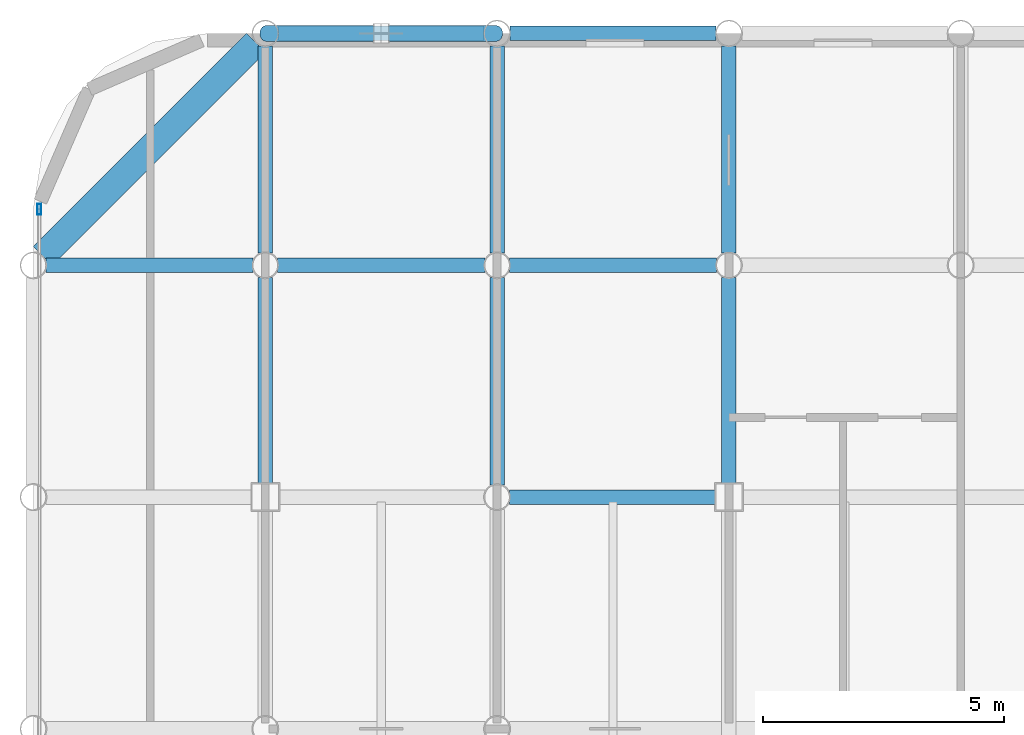
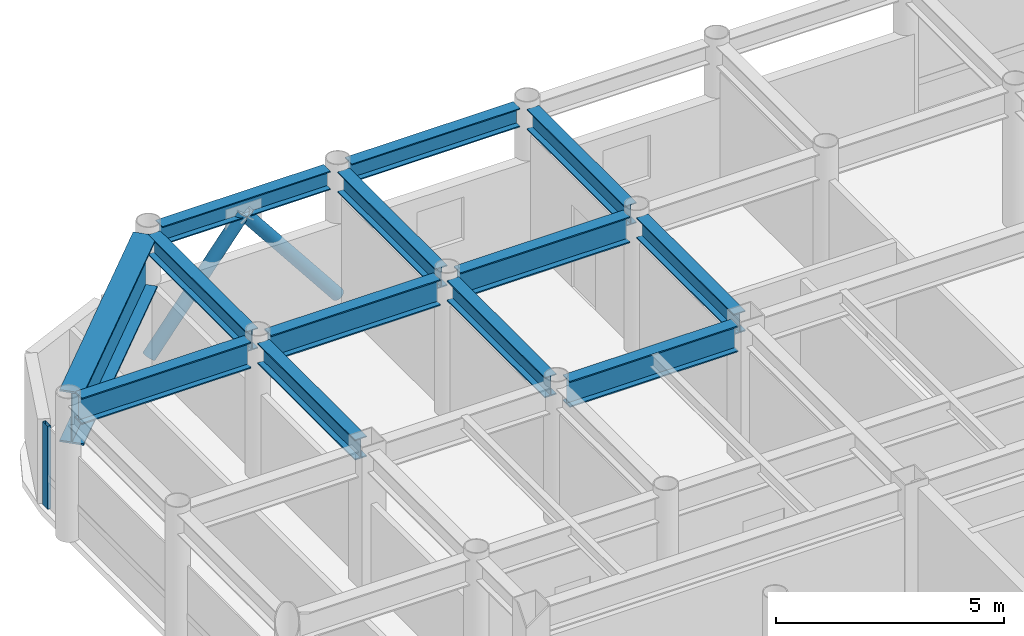
# One storey, part 12 of 22: 13 beams, 3 members, 1 element without a shape of its own.
"""IFC4 building model written with IfcOpenShell, lengths in metres."""

from ifc_helpers import new_model, si_unit, direction, frame, origin, origin_2d, place, context, subcontext, project, spatial, hollow_rectangle, hollow_circle, i_section, extrude, material, layer, layer_set, material_profile, profile_set, type_object, element, aggregate, save


model = new_model("IFC4")

# Units and contexts
model_context = context("Model", 3, precision=1e-05, world=origin(), true_north=direction((0.0, 1.0)))
body_context = subcontext(model_context, "Body", "Model", "MODEL_VIEW")
ifc_project = project(units=[si_unit("LENGTHUNIT", "METRE"), si_unit("AREAUNIT", "SQUARE_METRE"), si_unit("VOLUMEUNIT", "CUBIC_METRE"), si_unit("PLANEANGLEUNIT", "RADIAN"), si_unit("MASSUNIT", "GRAM", prefix="KILO")], contexts=[model_context])

# Site, building, storey
site_placement = place(None, origin())
site = spatial("IfcSite", under=ifc_project, at=site_placement, CompositionType="ELEMENT")
building_placement = place(site_placement, origin())
building = spatial("IfcBuilding", under=site, at=building_placement, Name="Kallvorn Hotel Tower", CompositionType="ELEMENT")
storey_placement = place(building_placement, frame((0.0, 0.0, 241.550048828125)))
storey = spatial("IfcBuildingStorey", under=building, at=storey_placement, Name="L60", CompositionType="ELEMENT", Elevation=241.550048828125)

# Beams
ifc_material_1 = material(Name="Structural steel S355JR", Category="steel")
ifc_material_profile_1 = material_profile(ifc_material_1, i_section(OverallWidth=0.300048828125, OverallDepth=0.5, WebThickness=0.014404296875, FlangeThickness=0.028076171875, at=origin_2d()), Name="HE 500 B")
ifc_profile_set_1 = profile_set([ifc_material_profile_1], Name="Structural steel S355JR")
beam_type_1 = type_object("IfcBeamType", Name="BM_HE500B", PredefinedType="SPANDREL", material=ifc_profile_set_1)
for number, where, z_axis, x_axis, name in (
    (1, (-23.73046875, 24.0, 3.419921875), (1.0, 0.0, 0.0), (0.0, 1.0, 0.0), "L61 Perimeter Spandrel 163"),
    (2, (-18.930419921875, 24.0, 3.419921875), (1.0, 0.0, 0.0), (0.0, 1.0, 0.0), "L61 Perimeter Spandrel 164"),
):
    element("IfcBeam", number, at=place(storey_placement, frame(where, z_axis=z_axis, x_axis=x_axis)), inside=storey, type_object=beam_type_1, Name=name, PredefinedType="SPANDREL", context=body_context, shape_type="SweptSolid", body=[
        extrude(i_section(OverallWidth=0.300048828125, OverallDepth=0.5, WebThickness=0.014404296875, FlangeThickness=0.028076171875, at=origin_2d()), origin(), (0.0, 0.0, 1.0), 4.260986328125),
    ])
ifc_material_2 = material(Name="Structural steel S355JR", Category="steel")
ifc_material_profile_2 = material_profile(ifc_material_2, i_section(OverallWidth=0.300048828125, OverallDepth=0.550048828125, WebThickness=0.014892578125, FlangeThickness=0.029052734375, at=origin_2d()), Name="HE 550 B")
ifc_profile_set_2 = profile_set([ifc_material_profile_2], Name="Structural steel S355JR")
beam_type_2 = type_object("IfcBeamType", Name="BM_HE550B", PredefinedType="SPANDREL", material=ifc_profile_set_2)
beam_1_placement = place(storey_placement, frame((-24.0, 14.675048828125, 3.39501953125), z_axis=(0.0, 1.0, 0.0), x_axis=(-1.0, 0.0, 0.0)))
element("IfcBeam", 3, at=beam_1_placement, inside=storey, type_object=beam_type_2, Name="L61 Primary Y-Girder 86", PredefinedType="SPANDREL", context=body_context, shape_type="SweptSolid", body=[
    extrude(i_section(OverallWidth=0.300048828125, OverallDepth=0.550048828125, WebThickness=0.014892578125, FlangeThickness=0.029052734375, at=origin_2d()), origin(), (0.0, 0.0, 1.0), 4.2705078125),
])
for number, where, z_axis, x_axis, name in (
    (4, (-24.0, 19.45458984375, 3.39501953125), (0.0, 1.0, 0.0), (-1.0, 0.0, 0.0), "L61 Primary Y-Girder 87"),
    (5, (-19.199951171875, 14.654541015625, 3.39501953125), (0.0, 1.0, 0.0), (-1.0, 0.0, 0.0), "L61 Primary Y-Girder 95"),
    (6, (-19.199951171875, 19.45458984375, 3.39501953125), (0.0, 1.0, 0.0), (-1.0, 0.0, 0.0), "L61 Primary Y-Girder 96"),
):
    element("IfcBeam", number, at=place(storey_placement, frame(where, z_axis=z_axis, x_axis=x_axis)), inside=storey, type_object=beam_type_2, Name=name, PredefinedType="SPANDREL", context=body_context, shape_type="SweptSolid", body=[
        extrude(i_section(OverallWidth=0.300048828125, OverallDepth=0.550048828125, WebThickness=0.014892578125, FlangeThickness=0.029052734375, at=origin_2d()), origin(), (0.0, 0.0, 1.0), 4.291015625),
    ])
beam_2_placement = place(storey_placement, frame((-14.39990234375, 14.675048828125, 3.39501953125), z_axis=(0.0, 1.0, 0.0), x_axis=(-1.0, 0.0, 0.0)))
element("IfcBeam", 7, at=beam_2_placement, inside=storey, type_object=beam_type_2, Name="L61 Primary Y-Girder 100", PredefinedType="SPANDREL", context=body_context, shape_type="SweptSolid", body=[
    extrude(i_section(OverallWidth=0.300048828125, OverallDepth=0.550048828125, WebThickness=0.014892578125, FlangeThickness=0.029052734375, at=origin_2d()), origin(), (0.0, 0.0, 1.0), 4.2705078125),
])
beam_3_placement = place(storey_placement, frame((-14.39990234375, 19.45458984375, 3.39501953125), z_axis=(0.0, 1.0, 0.0), x_axis=(-1.0, 0.0, 0.0)))
element("IfcBeam", 8, at=beam_3_placement, inside=storey, type_object=beam_type_2, Name="L61 Primary Y-Girder 101", PredefinedType="SPANDREL", context=body_context, shape_type="SweptSolid", body=[
    extrude(i_section(OverallWidth=0.300048828125, OverallDepth=0.550048828125, WebThickness=0.014892578125, FlangeThickness=0.029052734375, at=origin_2d()), origin(), (0.0, 0.0, 1.0), 4.291015625),
])
ifc_material_3 = material(Name="Structural steel S355JR", Category="steel")
ifc_material_profile_3 = material_profile(ifc_material_3, i_section(OverallWidth=0.300048828125, OverallDepth=0.699951171875, WebThickness=0.01708984375, FlangeThickness=0.031982421875, at=origin_2d()), Name="HE 700 B")
ifc_profile_set_3 = profile_set([ifc_material_profile_3], Name="Structural steel S355JR")
beam_type_3 = type_object("IfcBeamType", Name="BM_HE700B", PredefinedType="BEAM", material=ifc_profile_set_3)
beam_4_placement = place(storey_placement, frame((-18.945556640625, 14.39990234375, 3.320068359375), z_axis=(1.0, 0.0, 0.0), x_axis=(0.0, 1.0, 0.0)))
element("IfcBeam", 9, at=beam_4_placement, inside=storey, type_object=beam_type_3, Name="L61 Primary X-Girder 52", PredefinedType="BEAM", context=body_context, shape_type="SweptSolid", body=[
    extrude(i_section(OverallWidth=0.300048828125, OverallDepth=0.699951171875, WebThickness=0.01708984375, FlangeThickness=0.031982421875, at=origin_2d()), origin(), (0.0, 0.0, 1.0), 4.2705078125),
])
for number, where, z_axis, x_axis, name in (
    (10, (-28.54541015625, 19.199951171875, 3.320068359375), (1.0, 0.0, 0.0), (0.0, 1.0, 0.0), "L61 Primary X-Girder 60"),
    (11, (-23.74560546875, 19.199951171875, 3.320068359375), (1.0, 0.0, 0.0), (0.0, 1.0, 0.0), "L61 Primary X-Girder 61"),
    (12, (-18.945556640625, 19.199951171875, 3.320068359375), (1.0, 0.0, 0.0), (0.0, 1.0, 0.0), "L61 Primary X-Girder 62"),
):
    element("IfcBeam", number, at=place(storey_placement, frame(where, z_axis=z_axis, x_axis=x_axis)), inside=storey, type_object=beam_type_3, Name=name, PredefinedType="BEAM", context=body_context, shape_type="SweptSolid", body=[
        extrude(i_section(OverallWidth=0.300048828125, OverallDepth=0.699951171875, WebThickness=0.01708984375, FlangeThickness=0.031982421875, at=origin_2d()), origin(), (0.0, 0.0, 1.0), 4.291015625),
    ])
ifc_material_4 = material(Name="Structural steel S355JR", Category="steel")
ifc_material_profile_4 = material_profile(ifc_material_4, i_section(OverallWidth=0.550048828125, OverallDepth=1.39990234375, WebThickness=0.02490234375, FlangeThickness=0.044921875, at=origin_2d()), Name="PG 1400x550x25x45")
ifc_profile_set_4 = profile_set([ifc_material_profile_4], Name="Structural steel S355JR")
beam_type_4 = type_object("IfcBeamType", Name="BM_PG_1400", PredefinedType="BEAM", material=ifc_profile_set_4)
beam_5_placement = place(storey_placement, frame((-28.609375, 19.390625, 2.969970703125), z_axis=(0.707106781187, 0.707106781187, 0.0), x_axis=(-0.707106781187, 0.707106781187, 0.0)))
element("IfcBeam", 13, at=beam_5_placement, inside=storey, type_object=beam_type_4, Name="L61 Rounded Corner Tie Beam 189", PredefinedType="BEAM", context=body_context, shape_type="SweptSolid", body=[
    extrude(i_section(OverallWidth=0.550048828125, OverallDepth=1.39990234375, WebThickness=0.02490234375, FlangeThickness=0.044921875, at=origin_2d()), origin(), (0.0, 0.0, 1.0), 6.2490234375),
])

# Curtain wall, member
ifc_material_5 = material(Name="Thermally broken black-anodised aluminium AA 6063-T6", Category="aluminium")
ifc_layer = layer(ifc_material_5, 0.22998046875)
ifc_layer_set = layer_set([ifc_layer], Name="CW_SYS_5_HOTEL_HIGH")
curtain_wall_type = type_object("IfcCurtainWallType", Name="CW_SYS_5_HOTEL_HIGH", PredefinedType="USERDEFINED", material=ifc_layer_set)
curtain_wall_placement = place(storey_placement, origin())
curtain_wall = element("IfcCurtainWall", 14, at=curtain_wall_placement, inside=storey, type_object=curtain_wall_type, Name="L60 Dark-Glass Curtain Wall CW-L60-WN", ObjectType="UNITISED CURTAIN WALL", PredefinedType="USERDEFINED")
ifc_material_6 = material(Name="Thermally broken black-anodised aluminium AA 6063-T6", Category="aluminium")
ifc_material_profile_5 = material_profile(ifc_material_6, hollow_rectangle(XDim=0.080078125, YDim=0.219970703125, WallThickness=0.0048828125, at=origin_2d()), Name="MUL 220x80")
ifc_profile_set_5 = profile_set([ifc_material_profile_5], Name="Thermally broken black-anodised aluminium AA 6063-T6")
member_type_1 = type_object("IfcMemberType", Name="CW_MULLION_220x80", PredefinedType="MULLION", material=ifc_profile_set_5)
member_placement = place(storey_placement, frame((-28.679931640625, 20.360107421875, 0.02001953125), z_axis=(0.0, 0.0, 1.0), x_axis=(1.0, 0.0, 0.0)))
member = element("IfcMember", 15, at=member_placement, type_object=member_type_1, Name="CW-L60-WN Mullion 01", PredefinedType="MULLION", context=body_context, shape_type="SweptSolid", body=[
    extrude(hollow_rectangle(XDim=0.080078125, YDim=0.219970703125, WallThickness=0.0048828125, at=origin_2d()), origin(), (0.0, 0.0, 1.0), 2.22998046875),
])
aggregate(curtain_wall, [member])

# Members
ifc_material_7 = material(Name="Structural steel S355J2H", Category="steel")
ifc_material_profile_6 = material_profile(ifc_material_7, hollow_circle(Radius=0.161865234375, WallThickness=0.012451171875, at=origin_2d()), Name="CHS 323.9x12.5")
ifc_profile_set_6 = profile_set([ifc_material_profile_6], Name="Structural steel S355J2H")
member_type_2 = type_object("IfcMemberType", Name="MBR_EXO_CHS323", PredefinedType="BRACE", material=ifc_profile_set_6)
for number, where, z_axis, x_axis, name in (
    (16, (-23.987548828125, 24.0, 0.195556640625), (0.62089744796, 0.0, 0.783891803196), (0.0, 1.0, 0.0), "L60 Exoskeleton K-Brace N1A"),
    (17, (-19.21240234375, 24.0, 0.195556640625), (-0.62089744796, 0.0, 0.783891803196), (0.0, -1.0, 0.0), "L60 Exoskeleton K-Brace N1B"),
):
    element("IfcMember", number, at=place(storey_placement, frame(where, z_axis=z_axis, x_axis=x_axis)), inside=storey, type_object=member_type_2, Name=name, PredefinedType="BRACE", context=body_context, shape_type="SweptSolid", body=[
        extrude(hollow_circle(Radius=0.161865234375, WallThickness=0.012451171875, at=origin_2d()), origin(), (0.0, 0.0, 1.0), 3.825439453125),
    ])

save(model, "model.ifc")
